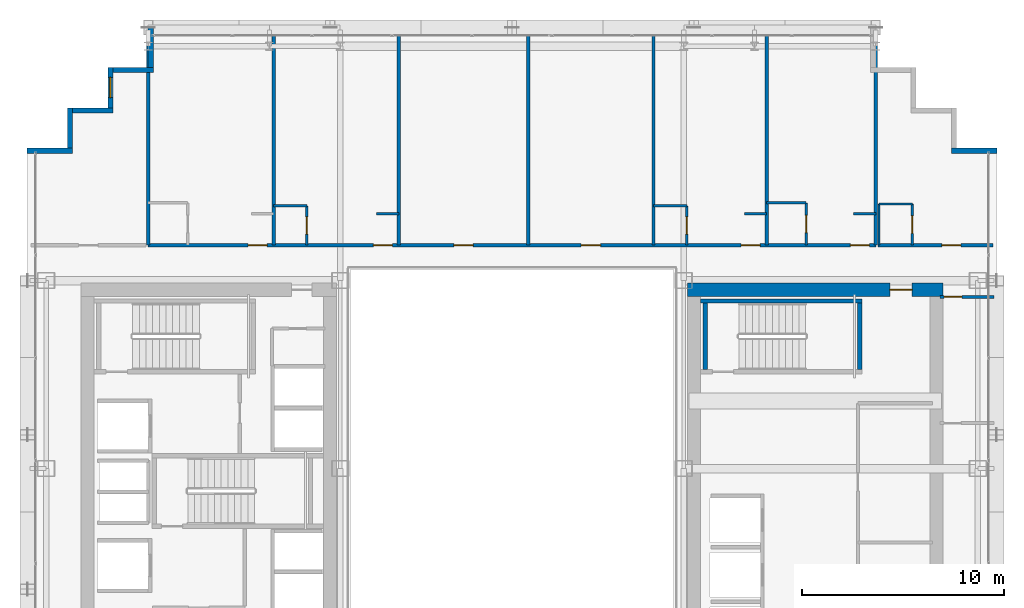
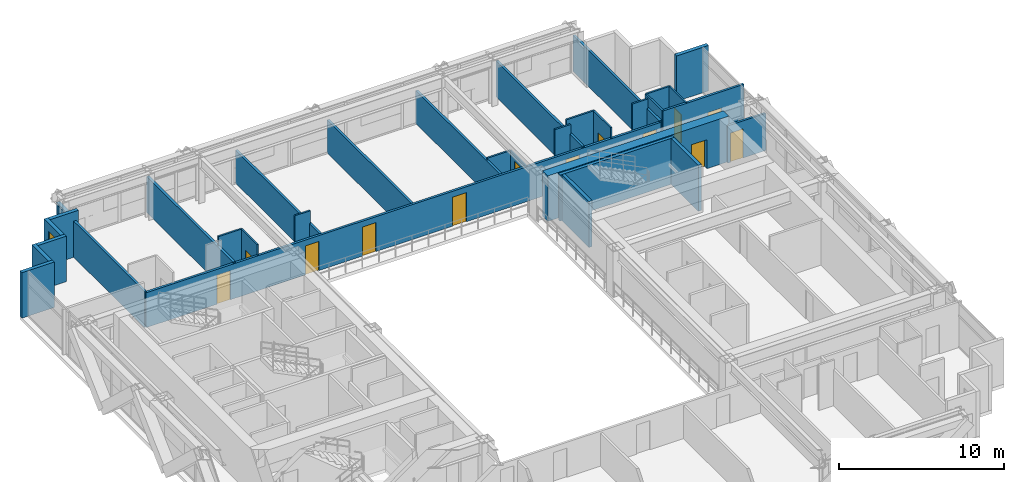
# One storey, part 30 of 35: 33 walls, 13 doors, 1 window, 14 openings.
"""IFC4 building model written with IfcOpenShell, lengths in metres."""

from ifc_helpers import new_model, si_unit, direction, frame, frame_2d, origin, place, context, subcontext, project, spatial, rectangle, extrude, source, transform, mapped, material, layer, layer_set, type_object, element, fill, save


model = new_model("IFC4")

# Units and contexts
model_context = context("Model", 3, precision=1e-05, world=origin(), true_north=direction((0.0, 1.0)))
body_context = subcontext(model_context, "Body", "Model", "MODEL_VIEW")
ifc_project = project(units=[si_unit("LENGTHUNIT", "METRE"), si_unit("AREAUNIT", "SQUARE_METRE"), si_unit("VOLUMEUNIT", "CUBIC_METRE"), si_unit("PLANEANGLEUNIT", "RADIAN"), si_unit("MASSUNIT", "GRAM", prefix="KILO")], contexts=[model_context])

# Site, building, storey
site_placement = place(None, origin())
site = spatial("IfcSite", under=ifc_project, at=site_placement, CompositionType="ELEMENT")
building_placement = place(site_placement, origin())
building = spatial("IfcBuilding", under=site, at=building_placement, Name="Ocotamira Hotel", CompositionType="ELEMENT")
storey_placement = place(building_placement, frame((0.0, 0.0, 122.39990234375)))
storey = spatial("IfcBuildingStorey", under=building, at=storey_placement, Name="L30", CompositionType="ELEMENT", Elevation=122.39990234375)

# Wall, opening, door
ifc_material_1 = material(Name="Concrete C60/75", Category="concrete")
ifc_layer_1 = layer(ifc_material_1, 0.64990234375)
ifc_layer_set_1 = layer_set([ifc_layer_1], Name="Concrete C60/75")
wall_type_1 = type_object("IfcWallType", Name="WL-CORE-650", PredefinedType="SHEAR", material=ifc_layer_set_1)
wall_1_placement = place(storey_placement, frame((40.675048828125, 37.0, 0.0), z_axis=(0.0, 0.0, 1.0), x_axis=(1.0, 0.0, 0.0)))
wall_1 = element("IfcWall", 1, at=wall_1_placement, inside=storey, type_object=wall_type_1, Name="L30 Shear Core Wall ECORE-N", PredefinedType="SHEAR", context=body_context, shape_type="SweptSolid", body=[
    extrude(rectangle(XDim=12.64990234375, YDim=0.64990234375, at=frame_2d((6.324951171875, 0.0))), origin(), (0.0, 0.0, 1.0), 3.360107421875),
])
opening_1_placement = place(wall_1_placement, frame((10.02490234375, 0.0, 0.0)))
opening_1 = element("IfcOpeningElement", 2, at=opening_1_placement, cuts=wall_1, Name="Opening D-FR1", PredefinedType="OPENING", context=body_context, shape_type="SweptSolid", body=[
    extrude(rectangle(XDim=1.10009765625, YDim=2.14990234375, at=frame_2d((0.550048828125, 1.074951171875))), frame((0.0, 0.3349609375, 0.0), z_axis=(0.0, -1.0, 0.0), x_axis=(1.0, 0.0, 0.0)), (0.0, 0.0, 1.0), 0.669921875),
])
ifc_material_2 = material(Name="Fire-rated acoustic timber-veneer door", Category="wood")
door_type_1 = type_object("IfcDoorType", Name="DR-FIRE-1100", OperationType="NOTDEFINED", PredefinedType="DOOR", material=ifc_material_2)
shared_shape_1 = source(origin(), body_context, "Body", "SweptSolid", [
    extrude(rectangle(XDim=1.10009765625, YDim=2.14990234375, at=frame_2d((0.550048828125, 1.074951171875))), frame((0.0, 0.02490234375, 0.0), z_axis=(0.0, -1.0, 0.0), x_axis=(1.0, 0.0, 0.0)), (0.0, 0.0, 1.0), 0.050048828125),
])
door_1_placement = place(opening_1_placement, origin())
door_1 = element("IfcDoor", 3, at=door_1_placement, inside=storey, type_object=door_type_1, Name="L30 Door ID-L30-ELOB-N-D [ID-L30-ELOB-N-D]", OperationType="SINGLE_SWING_LEFT", OverallHeight=2.14990234375, OverallWidth=1.10009765625, PredefinedType="DOOR", context=body_context, shape_type="MappedRepresentation", body=[
    mapped(shared_shape_1, transform((0.0, 0.0, 0.0), scale=1.0)),
])
fill(opening_1, door_1)

# Walls
ifc_material_3 = material(Name="Precast concrete C45/55", Category="concrete")
ifc_layer_2 = layer(ifc_material_3, 0.25)
ifc_layer_set_2 = layer_set([ifc_layer_2], Name="Precast concrete C45/55")
wall_type_2 = type_object("IfcWallType", Name="WL-EXT-SER-250", PredefinedType="SOLIDWALL", material=ifc_layer_set_2)
wall_2_placement = place(storey_placement, frame((56.0, 43.875, 0.0), z_axis=(0.0, 0.0, 1.0), x_axis=(-1.0, 0.0, 0.0)))
element("IfcWall", 4, at=wall_2_placement, inside=storey, type_object=wall_type_2, Name="L30 Serrated Corner Wall 07", PredefinedType="SOLIDWALL", context=body_context, shape_type="SweptSolid", body=[
    extrude(rectangle(XDim=2.25, YDim=0.25, at=frame_2d((1.125, 0.0))), origin(), (0.0, 0.0, 1.0), 3.360107421875),
])
wall_3_placement = place(storey_placement, frame((14.125, 50.0, 0.0), z_axis=(0.0, 0.0, 1.0), x_axis=(0.0, -1.0, 0.0)))
element("IfcWall", 5, at=wall_3_placement, inside=storey, type_object=wall_type_2, Name="L30 Serrated Corner Wall 13", PredefinedType="SOLIDWALL", context=body_context, shape_type="SweptSolid", body=[
    extrude(rectangle(XDim=2.0, YDim=0.25, at=frame_2d((1.0, 0.0))), origin(), (0.0, 0.0, 1.0), 2.6669921875),
])
wall_4_placement = place(storey_placement, frame((14.25, 47.875, 0.0), z_axis=(0.0, 0.0, 1.0), x_axis=(-1.0, 0.0, 0.0)))
element("IfcWall", 6, at=wall_4_placement, inside=storey, type_object=wall_type_2, Name="L30 Serrated Corner Wall 14", PredefinedType="SOLIDWALL", context=body_context, shape_type="SweptSolid", body=[
    extrude(rectangle(XDim=2.0, YDim=0.25, at=frame_2d((1.0, 0.0))), origin(), (0.0, 0.0, 1.0), 3.360107421875),
])

# Wall, opening, window
wall_5_placement = place(storey_placement, frame((12.125, 48.0, 0.0), z_axis=(0.0, 0.0, 1.0), x_axis=(0.0, -1.0, 0.0)))
wall_5 = element("IfcWall", 7, at=wall_5_placement, inside=storey, type_object=wall_type_2, Name="L30 Serrated Corner Wall 15", PredefinedType="SOLIDWALL", context=body_context, shape_type="SweptSolid", body=[
    extrude(rectangle(XDim=2.0, YDim=0.25, at=frame_2d((1.0, 0.0))), origin(), (0.0, 0.0, 1.0), 3.360107421875),
])
opening_2_placement = place(wall_5_placement, frame((0.5, 0.0, 0.85009765625)))
opening_2 = element("IfcOpeningElement", 8, at=opening_2_placement, cuts=wall_5, Name="Opening WN-2", PredefinedType="OPENING", context=body_context, shape_type="SweptSolid", body=[
    extrude(rectangle(XDim=1.0, YDim=1.89990234375, at=frame_2d((0.5, 0.949951171875))), frame((0.0, 0.135009765625, 0.0), z_axis=(0.0, -1.0, 0.0), x_axis=(1.0, 0.0, 0.0)), (0.0, 0.0, 1.0), 0.27001953125),
])
ifc_material_4 = material(Name="Double-silver low-E solar glass", Category="glass")
window_type = type_object("IfcWindowType", Name="WIN-SER-1100", PartitioningType="SINGLE_PANEL", PredefinedType="WINDOW", material=ifc_material_4)
shared_shape_2 = source(origin(), body_context, "Body", "SweptSolid", [
    extrude(rectangle(XDim=1.0, YDim=1.89990234375, at=frame_2d((0.5, 0.949951171875))), frame((0.0, 0.030029296875, 0.0), z_axis=(0.0, -1.0, 0.0), x_axis=(1.0, 0.0, 0.0)), (0.0, 0.0, 1.0), 0.06005859375),
])
window_placement = place(opening_2_placement, origin())
window = element("IfcWindow", 9, at=window_placement, inside=storey, type_object=window_type, Name="L30 Serrated Corner Window 15", OverallHeight=1.89990234375, OverallWidth=1.0, PartitioningType="SINGLE_PANEL", PredefinedType="WINDOW", context=body_context, shape_type="MappedRepresentation", body=[
    mapped(shared_shape_2, transform((0.0, 0.0, 0.0), scale=1.0)),
])
fill(opening_2, window)

# Walls
for number, where, z_axis, x_axis, name in (
    (10, (12.25, 45.875, 0.0), (0.0, 0.0, 1.0), (-1.0, 0.0, 0.0), "L30 Serrated Corner Wall 16"),
    (11, (10.125, 46.0, 0.0), (0.0, 0.0, 1.0), (0.0, -1.0, 0.0), "L30 Serrated Corner Wall 17"),
):
    element("IfcWall", number, at=place(storey_placement, frame(where, z_axis=z_axis, x_axis=x_axis)), inside=storey, type_object=wall_type_2, Name=name, PredefinedType="SOLIDWALL", context=body_context, shape_type="SweptSolid", body=[
        extrude(rectangle(XDim=2.0, YDim=0.25, at=frame_2d((1.0, 0.0))), origin(), (0.0, 0.0, 1.0), 3.360107421875),
    ])
wall_6_placement = place(storey_placement, frame((10.25, 43.875, 0.0), z_axis=(0.0, 0.0, 1.0), x_axis=(-1.0, 0.0, 0.0)))
element("IfcWall", 12, at=wall_6_placement, inside=storey, type_object=wall_type_2, Name="L30 Serrated Corner Wall 18", PredefinedType="SOLIDWALL", context=body_context, shape_type="SweptSolid", body=[
    extrude(rectangle(XDim=2.25, YDim=0.25, at=frame_2d((1.125, 0.0))), origin(), (0.0, 0.0, 1.0), 3.360107421875),
])

# Wall, opening, door
ifc_material_5 = material(Name="Acoustic double-layer fire gypsum board partition", Category="gypsum")
ifc_layer_3 = layer(ifc_material_5, 0.159912109375)
ifc_layer_set_3 = layer_set([ifc_layer_3], Name="Acoustic double-layer fire gypsum board partition")
wall_type_3 = type_object("IfcWallType", Name="WL-FIRE-160", PredefinedType="PARTITIONING", material=ifc_layer_set_3)
wall_7_placement = place(storey_placement, frame((50.1201171875, 39.199951171875, 0.0), z_axis=(0.0, 0.0, 1.0), x_axis=(1.0, 0.0, 0.0)))
wall_7 = element("IfcWall", 13, at=wall_7_placement, inside=storey, type_object=wall_type_3, Name="L30 Interior Wall PW-L30-Z2C-CNE-CW", PredefinedType="PARTITIONING", context=body_context, shape_type="SweptSolid", body=[
    extrude(rectangle(XDim=5.679931640625, YDim=0.159912109375, at=frame_2d((2.83984375, 0.0))), origin(), (0.0, 0.0, 1.0), 3.360107421875),
])
opening_3_placement = place(wall_7_placement, frame((3.14990234375, 0.0, 0.0)))
opening_3 = element("IfcOpeningElement", 14, at=opening_3_placement, cuts=wall_7, Name="Opening D-GR1", PredefinedType="OPENING", context=body_context, shape_type="SweptSolid", body=[
    extrude(rectangle(XDim=0.93994140625, YDim=2.14990234375, at=frame_2d((0.469970703125, 1.074951171875))), frame((0.0, 0.08984375, 0.0), z_axis=(0.0, -1.0, 0.0), x_axis=(1.0, 0.0, 0.0)), (0.0, 0.0, 1.0), 0.179931640625),
])
ifc_material_6 = material(Name="Solid-core walnut suite entrance fire door", Category="wood")
door_type_2 = type_object("IfcDoorType", Name="DR-GUEST-940", OperationType="NOTDEFINED", PredefinedType="DOOR", material=ifc_material_6)
shared_shape_3 = source(origin(), body_context, "Body", "SweptSolid", [
    extrude(rectangle(XDim=0.93994140625, YDim=2.14990234375, at=frame_2d((0.469970703125, 1.074951171875))), frame((0.0, 0.02490234375, 0.0), z_axis=(0.0, -1.0, 0.0), x_axis=(1.0, 0.0, 0.0)), (0.0, 0.0, 1.0), 0.050048828125),
])
door_2_placement = place(opening_3_placement, origin())
door_2 = element("IfcDoor", 15, at=door_2_placement, inside=storey, type_object=door_type_2, Name="L30 Door ID-L30-Z2C-CNE-CD [ID-L30-Z2C-CNE-CD]", OperationType="SINGLE_SWING_RIGHT", OverallHeight=2.14990234375, OverallWidth=0.93994140625, PredefinedType="DOOR", context=body_context, shape_type="MappedRepresentation", body=[
    mapped(shared_shape_3, transform((0.0, 0.0, 0.0), scale=1.0)),
])
fill(opening_3, door_2)

# Wall, openings, doors
wall_8_placement = place(storey_placement, frame((14.0, 39.199951171875, 0.0), z_axis=(0.0, 0.0, 1.0), x_axis=(1.0, 0.0, 0.0)))
wall_8 = element("IfcWall", 16, at=wall_8_placement, inside=storey, type_object=wall_type_3, Name="L30 Interior Wall PW-L30-Z2CN-CORRW", PredefinedType="PARTITIONING", context=body_context, shape_type="SweptSolid", body=[
    extrude(rectangle(XDim=36.0, YDim=0.159912109375, at=frame_2d((18.0, 0.0))), origin(), (0.0, 0.0, 1.0), 2.5810546875),
])
opening_4_placement = place(wall_8_placement, frame((4.93994140625, 0.0, 0.0)))
opening_4 = element("IfcOpeningElement", 17, at=opening_4_placement, cuts=wall_8, Name="Opening D-GR1", PredefinedType="OPENING", context=body_context, shape_type="SweptSolid", body=[
    extrude(rectangle(XDim=0.93994140625, YDim=2.14990234375, at=frame_2d((0.469970703125, 1.074951171875))), frame((0.0, 0.08984375, 0.0), z_axis=(0.0, -1.0, 0.0), x_axis=(1.0, 0.0, 0.0)), (0.0, 0.0, 1.0), 0.179931640625),
])
opening_5_placement = place(wall_8_placement, frame((11.139892578125, 0.0, 0.0)))
opening_5 = element("IfcOpeningElement", 18, at=opening_5_placement, cuts=wall_8, Name="Opening D-GR1", PredefinedType="OPENING", context=body_context, shape_type="SweptSolid", body=[
    extrude(rectangle(XDim=0.93994140625, YDim=2.14990234375, at=frame_2d((0.469970703125, 1.074951171875))), frame((0.0, 0.08984375, 0.0), z_axis=(0.0, -1.0, 0.0), x_axis=(1.0, 0.0, 0.0)), (0.0, 0.0, 1.0), 0.179931640625),
])
opening_6_placement = place(wall_8_placement, frame((15.1201171875, 0.0, 0.0)))
opening_6 = element("IfcOpeningElement", 19, at=opening_6_placement, cuts=wall_8, Name="Opening D-SV4", PredefinedType="OPENING", context=body_context, shape_type="SweptSolid", body=[
    extrude(rectangle(XDim=0.9599609375, YDim=2.14990234375, at=frame_2d((0.47998046875, 1.074951171875))), frame((0.0, 0.08984375, 0.0), z_axis=(0.0, -1.0, 0.0), x_axis=(1.0, 0.0, 0.0)), (0.0, 0.0, 1.0), 0.179931640625),
])
opening_7_placement = place(wall_8_placement, frame((21.419921875, 0.0, 0.0)))
opening_7 = element("IfcOpeningElement", 20, at=opening_7_placement, cuts=wall_8, Name="Opening D-SV4", PredefinedType="OPENING", context=body_context, shape_type="SweptSolid", body=[
    extrude(rectangle(XDim=0.9599609375, YDim=2.14990234375, at=frame_2d((0.47998046875, 1.074951171875))), frame((0.0, 0.08984375, 0.0), z_axis=(0.0, -1.0, 0.0), x_axis=(1.0, 0.0, 0.0)), (0.0, 0.0, 1.0), 0.179931640625),
])
opening_8_placement = place(wall_8_placement, frame((29.340087890625, 0.0, 0.0)))
opening_8 = element("IfcOpeningElement", 21, at=opening_8_placement, cuts=wall_8, Name="Opening D-GR1", PredefinedType="OPENING", context=body_context, shape_type="SweptSolid", body=[
    extrude(rectangle(XDim=0.93994140625, YDim=2.14990234375, at=frame_2d((0.469970703125, 1.074951171875))), frame((0.0, 0.08984375, 0.0), z_axis=(0.0, -1.0, 0.0), x_axis=(1.0, 0.0, 0.0)), (0.0, 0.0, 1.0), 0.179931640625),
])
opening_9_placement = place(wall_8_placement, frame((34.739990234375, 0.0, 0.0)))
opening_9 = element("IfcOpeningElement", 22, at=opening_9_placement, cuts=wall_8, Name="Opening D-GR1", PredefinedType="OPENING", context=body_context, shape_type="SweptSolid", body=[
    extrude(rectangle(XDim=0.93994140625, YDim=2.14990234375, at=frame_2d((0.469970703125, 1.074951171875))), frame((0.0, 0.08984375, 0.0), z_axis=(0.0, -1.0, 0.0), x_axis=(1.0, 0.0, 0.0)), (0.0, 0.0, 1.0), 0.179931640625),
])
ifc_material_7 = material(Name="Fire-rated accessible walnut salon door", Category="wood")
door_type_3 = type_object("IfcDoorType", Name="DR-SERV-960", OperationType="NOTDEFINED", PredefinedType="DOOR", material=ifc_material_7)
shared_shape_4 = source(origin(), body_context, "Body", "SweptSolid", [
    extrude(rectangle(XDim=0.9599609375, YDim=2.14990234375, at=frame_2d((0.47998046875, 1.074951171875))), frame((0.0, 0.02490234375, 0.0), z_axis=(0.0, -1.0, 0.0), x_axis=(1.0, 0.0, 0.0)), (0.0, 0.0, 1.0), 0.050048828125),
])
door_3_placement = place(opening_6_placement, origin())
door_3 = element("IfcDoor", 23, at=door_3_placement, inside=storey, type_object=door_type_3, Name="L30 Door ID-L30-Z2CN-AMD3 [ID-L30-Z2CN-AMD3]", OperationType="SINGLE_SWING_LEFT", OverallHeight=2.14990234375, OverallWidth=0.9599609375, PredefinedType="DOOR", context=body_context, shape_type="MappedRepresentation", body=[
    mapped(shared_shape_4, transform((0.0, 0.0, 0.0), scale=1.0)),
])
fill(opening_6, door_3)
door_4_placement = place(opening_7_placement, origin())
door_4 = element("IfcDoor", 24, at=door_4_placement, inside=storey, type_object=door_type_3, Name="L30 Door ID-L30-Z2CN-AMD4 [ID-L30-Z2CN-AMD4]", OperationType="SINGLE_SWING_RIGHT", OverallHeight=2.14990234375, OverallWidth=0.9599609375, PredefinedType="DOOR", context=body_context, shape_type="MappedRepresentation", body=[
    mapped(shared_shape_4, transform((0.0, 0.0, 0.0), scale=1.0)),
])
fill(opening_7, door_4)
door_5_placement = place(opening_4_placement, origin())
door_5 = element("IfcDoor", 25, at=door_5_placement, inside=storey, type_object=door_type_2, Name="L30 Door ID-L30-Z2CN-RMD1 [ID-L30-Z2CN-RMD1]", OperationType="SINGLE_SWING_LEFT", OverallHeight=2.14990234375, OverallWidth=0.93994140625, PredefinedType="DOOR", context=body_context, shape_type="MappedRepresentation", body=[
    mapped(shared_shape_3, transform((0.0, 0.0, 0.0), scale=1.0)),
])
fill(opening_4, door_5)
door_6_placement = place(opening_5_placement, origin())
door_6 = element("IfcDoor", 26, at=door_6_placement, inside=storey, type_object=door_type_2, Name="L30 Door ID-L30-Z2CN-RMD2 [ID-L30-Z2CN-RMD2]", OperationType="SINGLE_SWING_RIGHT", OverallHeight=2.14990234375, OverallWidth=0.93994140625, PredefinedType="DOOR", context=body_context, shape_type="MappedRepresentation", body=[
    mapped(shared_shape_3, transform((0.0, 0.0, 0.0), scale=1.0)),
])
fill(opening_5, door_6)
door_7_placement = place(opening_8_placement, origin())
door_7 = element("IfcDoor", 27, at=door_7_placement, inside=storey, type_object=door_type_2, Name="L30 Door ID-L30-Z2CN-RMD5 [ID-L30-Z2CN-RMD5]", OperationType="SINGLE_SWING_LEFT", OverallHeight=2.14990234375, OverallWidth=0.93994140625, PredefinedType="DOOR", context=body_context, shape_type="MappedRepresentation", body=[
    mapped(shared_shape_3, transform((0.0, 0.0, 0.0), scale=1.0)),
])
fill(opening_8, door_7)
door_8_placement = place(opening_9_placement, origin())
door_8 = element("IfcDoor", 28, at=door_8_placement, inside=storey, type_object=door_type_2, Name="L30 Door ID-L30-Z2CN-RMD6 [ID-L30-Z2CN-RMD6]", OperationType="SINGLE_SWING_RIGHT", OverallHeight=2.14990234375, OverallWidth=0.93994140625, PredefinedType="DOOR", context=body_context, shape_type="MappedRepresentation", body=[
    mapped(shared_shape_3, transform((0.0, 0.0, 0.0), scale=1.0)),
])
fill(opening_9, door_8)

# Wall, opening, door
ifc_material_8 = material(Name="Moisture-resistant en-suite tile and gypsum partition", Category="gypsum")
ifc_layer_4 = layer(ifc_material_8, 0.1201171875)
ifc_layer_set_4 = layer_set([ifc_layer_4], Name="Moisture-resistant en-suite tile and gypsum partition")
wall_type_4 = type_object("IfcWallType", Name="WL-PART-120", PredefinedType="PARTITIONING", material=ifc_layer_set_4)
wall_9_placement = place(storey_placement, frame((51.81005859375, 39.199951171875, 0.0), z_axis=(0.0, 0.0, 1.0), x_axis=(0.0, 1.0, 0.0)))
wall_9 = element("IfcWall", 29, at=wall_9_placement, inside=storey, type_object=wall_type_4, Name="L30 Interior Wall PW-L30-Z2C-CNE-BE", PredefinedType="PARTITIONING", context=body_context, shape_type="SweptSolid", body=[
    extrude(rectangle(XDim=2.0400390625, YDim=0.1201171875, at=frame_2d((1.02001953125, 0.0))), origin(), (0.0, 0.0, 1.0), 3.360107421875),
])
opening_10_placement = place(wall_9_placement, frame((0.590087890625, 0.0, 0.0)))
opening_10 = element("IfcOpeningElement", 30, at=opening_10_placement, cuts=wall_9, Name="Opening D-BA1", PredefinedType="OPENING", context=body_context, shape_type="SweptSolid", body=[
    extrude(rectangle(XDim=0.860107421875, YDim=2.10009765625, at=frame_2d((0.43017578125, 1.050048828125))), frame((0.0, 0.070068359375, 0.0), z_axis=(0.0, -1.0, 0.0), x_axis=(1.0, 0.0, 0.0)), (0.0, 0.0, 1.0), 0.14013671875),
])
ifc_material_9 = material(Name="Moisture-sealed en-suite timber door", Category="wood")
door_type_4 = type_object("IfcDoorType", Name="DR-BATH-860", OperationType="NOTDEFINED", PredefinedType="DOOR", material=ifc_material_9)
shared_shape_5 = source(origin(), body_context, "Body", "SweptSolid", [
    extrude(rectangle(XDim=0.860107421875, YDim=2.10009765625, at=frame_2d((0.43017578125, 1.050048828125))), frame((0.0, 0.02490234375, 0.0), z_axis=(0.0, -1.0, 0.0), x_axis=(1.0, 0.0, 0.0)), (0.0, 0.0, 1.0), 0.050048828125),
])
door_9_placement = place(opening_10_placement, origin())
door_9 = element("IfcDoor", 31, at=door_9_placement, inside=storey, type_object=door_type_4, Name="L30 Door ID-L30-Z2C-CNE-BD [ID-L30-Z2C-CNE-BD]", OperationType="SINGLE_SWING_LEFT", OverallHeight=2.10009765625, OverallWidth=0.860107421875, PredefinedType="DOOR", context=body_context, shape_type="MappedRepresentation", body=[
    mapped(shared_shape_5, transform((0.0, 0.0, 0.0), scale=1.0)),
])
fill(opening_10, door_9)

# Walls
wall_10_placement = place(storey_placement, frame((50.159912109375, 39.199951171875, 0.0), z_axis=(0.0, 0.0, 1.0), x_axis=(0.0, 1.0, 0.0)))
element("IfcWall", 32, at=wall_10_placement, inside=storey, type_object=wall_type_4, Name="L30 Interior Wall PW-L30-Z2C-CNE-BW", PredefinedType="PARTITIONING", context=body_context, shape_type="SweptSolid", body=[
    extrude(rectangle(XDim=2.0400390625, YDim=0.1201171875, at=frame_2d((1.02001953125, 0.0))), origin(), (0.0, 0.0, 1.0), 3.360107421875),
])
wall_11_placement = place(storey_placement, frame((50.159912109375, 41.239990234375, 0.0), z_axis=(0.0, 0.0, 1.0), x_axis=(1.0, 0.0, 0.0)))
element("IfcWall", 33, at=wall_11_placement, inside=storey, type_object=wall_type_4, Name="L30 Interior Wall PW-L30-Z2C-CNE-BH", PredefinedType="PARTITIONING", context=body_context, shape_type="SweptSolid", body=[
    extrude(rectangle(XDim=1.650146484375, YDim=0.1201171875, at=frame_2d((0.8251953125, 0.0))), origin(), (0.0, 0.0, 1.0), 3.360107421875),
])

# Wall, opening, door
wall_12_placement = place(storey_placement, frame((21.85009765625, 39.199951171875, 0.0), z_axis=(0.0, 0.0, 1.0), x_axis=(0.0, 1.0, 0.0)))
wall_12 = element("IfcWall", 34, at=wall_12_placement, inside=storey, type_object=wall_type_4, Name="L30 Interior Wall PW-L30-Z2CN-BAE2", PredefinedType="PARTITIONING", context=body_context, shape_type="SweptSolid", body=[
    extrude(rectangle(XDim=1.949951171875, YDim=0.1201171875, at=frame_2d((0.97509765625, 0.0))), origin(), (0.0, 0.0, 1.0), 3.360107421875),
])
opening_11_placement = place(wall_12_placement, frame((0.544921875, 0.0, 0.0)))
opening_11 = element("IfcOpeningElement", 35, at=opening_11_placement, cuts=wall_12, Name="Opening D-BA1", PredefinedType="OPENING", context=body_context, shape_type="SweptSolid", body=[
    extrude(rectangle(XDim=0.860107421875, YDim=2.10009765625, at=frame_2d((0.43017578125, 1.050048828125))), frame((0.0, 0.070068359375, 0.0), z_axis=(0.0, -1.0, 0.0), x_axis=(1.0, 0.0, 0.0)), (0.0, 0.0, 1.0), 0.14013671875),
])
door_10_placement = place(opening_11_placement, origin())
door_10 = element("IfcDoor", 36, at=door_10_placement, inside=storey, type_object=door_type_4, Name="L30 Door ID-L30-Z2CN-BAD2 [ID-L30-Z2CN-BAD2]", OperationType="SINGLE_SWING_LEFT", OverallHeight=2.10009765625, OverallWidth=0.860107421875, PredefinedType="DOOR", context=body_context, shape_type="MappedRepresentation", body=[
    mapped(shared_shape_5, transform((0.0, 0.0, 0.0), scale=1.0)),
])
fill(opening_11, door_10)

# Walls
wall_13_placement = place(storey_placement, frame((20.199951171875, 41.14990234375, 0.0), z_axis=(0.0, 0.0, 1.0), x_axis=(1.0, 0.0, 0.0)))
element("IfcWall", 37, at=wall_13_placement, inside=storey, type_object=wall_type_4, Name="L30 Interior Wall PW-L30-Z2CN-BAN2", PredefinedType="PARTITIONING", context=body_context, shape_type="SweptSolid", body=[
    extrude(rectangle(XDim=1.650146484375, YDim=0.1201171875, at=frame_2d((0.8251953125, 0.0))), origin(), (0.0, 0.0, 1.0), 3.360107421875),
])
wall_14_placement = place(storey_placement, frame((25.300048828125, 40.75, 0.0), z_axis=(0.0, 0.0, 1.0), x_axis=(1.0, 0.0, 0.0)))
element("IfcWall", 38, at=wall_14_placement, inside=storey, type_object=wall_type_4, Name="L30 Interior Wall PW-L30-Z2CN-DRN2", PredefinedType="PARTITIONING", context=body_context, shape_type="SweptSolid", body=[
    extrude(rectangle(XDim=1.099853515625, YDim=0.1201171875, at=frame_2d((0.5498046875, 0.0))), origin(), (0.0, 0.0, 1.0), 3.360107421875),
])

# Wall, opening, door
wall_15_placement = place(storey_placement, frame((40.64990234375, 39.199951171875, 0.0), z_axis=(0.0, 0.0, 1.0), x_axis=(0.0, 1.0, 0.0)))
wall_15 = element("IfcWall", 39, at=wall_15_placement, inside=storey, type_object=wall_type_4, Name="L30 Interior Wall PW-L30-Z2CN-BAE5", PredefinedType="PARTITIONING", context=body_context, shape_type="SweptSolid", body=[
    extrude(rectangle(XDim=1.949951171875, YDim=0.1201171875, at=frame_2d((0.97509765625, 0.0))), origin(), (0.0, 0.0, 1.0), 2.5810546875),
])
opening_12_placement = place(wall_15_placement, frame((0.544921875, 0.0, 0.0)))
opening_12 = element("IfcOpeningElement", 40, at=opening_12_placement, cuts=wall_15, Name="Opening D-BA1", PredefinedType="OPENING", context=body_context, shape_type="SweptSolid", body=[
    extrude(rectangle(XDim=0.860107421875, YDim=2.10009765625, at=frame_2d((0.43017578125, 1.050048828125))), frame((0.0, 0.070068359375, 0.0), z_axis=(0.0, -1.0, 0.0), x_axis=(1.0, 0.0, 0.0)), (0.0, 0.0, 1.0), 0.14013671875),
])
door_11_placement = place(opening_12_placement, origin())
door_11 = element("IfcDoor", 41, at=door_11_placement, inside=storey, type_object=door_type_4, Name="L30 Door ID-L30-Z2CN-BAD5 [ID-L30-Z2CN-BAD5]", OperationType="SINGLE_SWING_RIGHT", OverallHeight=2.10009765625, OverallWidth=0.860107421875, PredefinedType="DOOR", context=body_context, shape_type="MappedRepresentation", body=[
    mapped(shared_shape_5, transform((0.0, 0.0, 0.0), scale=1.0)),
])
fill(opening_12, door_11)

# Walls
wall_16_placement = place(storey_placement, frame((39.0, 41.14990234375, 0.0), z_axis=(0.0, 0.0, 1.0), x_axis=(1.0, 0.0, 0.0)))
element("IfcWall", 42, at=wall_16_placement, inside=storey, type_object=wall_type_4, Name="L30 Interior Wall PW-L30-Z2CN-BAN5", PredefinedType="PARTITIONING", context=body_context, shape_type="SweptSolid", body=[
    extrude(rectangle(XDim=1.64990234375, YDim=0.1201171875, at=frame_2d((0.824951171875, 0.0))), origin(), (0.0, 0.0, 1.0), 2.5810546875),
])
wall_17_placement = place(storey_placement, frame((43.5, 40.75, 0.0), z_axis=(0.0, 0.0, 1.0), x_axis=(1.0, 0.0, 0.0)))
element("IfcWall", 43, at=wall_17_placement, inside=storey, type_object=wall_type_4, Name="L30 Interior Wall PW-L30-Z2CN-DRN5", PredefinedType="PARTITIONING", context=body_context, shape_type="SweptSolid", body=[
    extrude(rectangle(XDim=1.10009765625, YDim=0.1201171875, at=frame_2d((0.550048828125, 0.0))), origin(), (0.0, 0.0, 1.0), 3.360107421875),
])

# Wall, opening, door
wall_18_placement = place(storey_placement, frame((46.550048828125, 39.199951171875, 0.0), z_axis=(0.0, 0.0, 1.0), x_axis=(0.0, 1.0, 0.0)))
wall_18 = element("IfcWall", 44, at=wall_18_placement, inside=storey, type_object=wall_type_4, Name="L30 Interior Wall PW-L30-Z2CN-BAE6", PredefinedType="PARTITIONING", context=body_context, shape_type="SweptSolid", body=[
    extrude(rectangle(XDim=2.10009765625, YDim=0.1201171875, at=frame_2d((1.050048828125, 0.0))), origin(), (0.0, 0.0, 1.0), 3.360107421875),
])
opening_13_placement = place(wall_18_placement, frame((0.6201171875, 0.0, 0.0)))
opening_13 = element("IfcOpeningElement", 45, at=opening_13_placement, cuts=wall_18, Name="Opening D-BA1", PredefinedType="OPENING", context=body_context, shape_type="SweptSolid", body=[
    extrude(rectangle(XDim=0.860107421875, YDim=2.10009765625, at=frame_2d((0.43017578125, 1.050048828125))), frame((0.0, 0.070068359375, 0.0), z_axis=(0.0, -1.0, 0.0), x_axis=(1.0, 0.0, 0.0)), (0.0, 0.0, 1.0), 0.14013671875),
])
door_12_placement = place(opening_13_placement, origin())
door_12 = element("IfcDoor", 46, at=door_12_placement, inside=storey, type_object=door_type_4, Name="L30 Door ID-L30-Z2CN-BAD6 [ID-L30-Z2CN-BAD6]", OperationType="SINGLE_SWING_LEFT", OverallHeight=2.10009765625, OverallWidth=0.860107421875, PredefinedType="DOOR", context=body_context, shape_type="MappedRepresentation", body=[
    mapped(shared_shape_5, transform((0.0, 0.0, 0.0), scale=1.0)),
])
fill(opening_13, door_12)

# Walls
wall_19_placement = place(storey_placement, frame((44.60009765625, 41.300048828125, 0.0), z_axis=(0.0, 0.0, 1.0), x_axis=(1.0, 0.0, 0.0)))
element("IfcWall", 47, at=wall_19_placement, inside=storey, type_object=wall_type_4, Name="L30 Interior Wall PW-L30-Z2CN-BAN6", PredefinedType="PARTITIONING", context=body_context, shape_type="SweptSolid", body=[
    extrude(rectangle(XDim=1.949951171875, YDim=0.1201171875, at=frame_2d((0.97509765625, 0.0))), origin(), (0.0, 0.0, 1.0), 3.360107421875),
])
wall_20_placement = place(storey_placement, frame((48.89990234375, 40.75, 0.0), z_axis=(0.0, 0.0, 1.0), x_axis=(1.0, 0.0, 0.0)))
element("IfcWall", 48, at=wall_20_placement, inside=storey, type_object=wall_type_4, Name="L30 Interior Wall PW-L30-Z2CN-DRN6", PredefinedType="PARTITIONING", context=body_context, shape_type="SweptSolid", body=[
    extrude(rectangle(XDim=1.10009765625, YDim=0.1201171875, at=frame_2d((0.550048828125, 0.0))), origin(), (0.0, 0.0, 1.0), 3.360107421875),
])

# Wall, opening, door
ifc_material_10 = material(Name="Acoustic hospitality gypsum board partition", Category="gypsum")
ifc_layer_5 = layer(ifc_material_10, 0.14990234375)
ifc_layer_set_5 = layer_set([ifc_layer_5], Name="Acoustic hospitality gypsum board partition")
wall_type_5 = type_object("IfcWallType", Name="WL-PART-150", PredefinedType="PARTITIONING", material=ifc_layer_set_5)
wall_21_placement = place(storey_placement, frame((53.179931640625, 36.639892578125, 0.0), z_axis=(0.0, 0.0, 1.0), x_axis=(1.0, 0.0, 0.0)))
wall_21 = element("IfcWall", 49, at=wall_21_placement, inside=storey, type_object=wall_type_5, Name="L30 Interior Wall PW-L30-Z2C-EF-WN", PredefinedType="PARTITIONING", context=body_context, shape_type="SweptSolid", body=[
    extrude(rectangle(XDim=2.66015625, YDim=0.14990234375, at=frame_2d((1.330078125, 0.0))), origin(), (0.0, 0.0, 1.0), 2.7431640625),
])
opening_14_placement = place(wall_21_placement, frame((0.199951171875, 0.0, 0.0)))
opening_14 = element("IfcOpeningElement", 50, at=opening_14_placement, cuts=wall_21, Name="Opening D-SV2", PredefinedType="OPENING", context=body_context, shape_type="SweptSolid", body=[
    extrude(rectangle(XDim=0.8798828125, YDim=2.14990234375, at=frame_2d((0.43994140625, 1.074951171875))), frame((0.0, 0.0849609375, 0.0), z_axis=(0.0, -1.0, 0.0), x_axis=(1.0, 0.0, 0.0)), (0.0, 0.0, 1.0), 0.169921875),
])
ifc_material_11 = material(Name="Fire-rated painted steel service door", Category="steel")
door_type_5 = type_object("IfcDoorType", Name="DR-SERV-880", OperationType="NOTDEFINED", PredefinedType="DOOR", material=ifc_material_11)
shared_shape_6 = source(origin(), body_context, "Body", "SweptSolid", [
    extrude(rectangle(XDim=0.8798828125, YDim=2.14990234375, at=frame_2d((0.43994140625, 1.074951171875))), frame((0.0, 0.02490234375, 0.0), z_axis=(0.0, -1.0, 0.0), x_axis=(1.0, 0.0, 0.0)), (0.0, 0.0, 1.0), 0.050048828125),
])
door_13_placement = place(opening_14_placement, origin())
door_13 = element("IfcDoor", 51, at=door_13_placement, inside=storey, type_object=door_type_5, Name="L30 Door ID-L30-Z2C-EF-DN [ID-L30-Z2C-EF-DN]", OperationType="SINGLE_SWING_LEFT", OverallHeight=2.14990234375, OverallWidth=0.8798828125, PredefinedType="DOOR", context=body_context, shape_type="MappedRepresentation", body=[
    mapped(shared_shape_6, transform((0.0, 0.0, 0.0), scale=1.0)),
])
fill(opening_14, door_13)

# Walls
ifc_material_12 = material(Name="Acoustic double-stud hospitality gypsum partition", Category="gypsum")
ifc_layer_6 = layer(ifc_material_12, 0.159912109375)
ifc_layer_set_6 = layer_set([ifc_layer_6], Name="Acoustic double-stud hospitality gypsum partition")
wall_type_6 = type_object("IfcWallType", Name="WL-PART-160", PredefinedType="PARTITIONING", material=ifc_layer_set_6)
for number, where, z_axis, x_axis, name in (
    (52, (14.0, 39.199951171875, 0.0), (0.0, 0.0, 1.0), (0.0, 1.0, 0.0), "L30 Interior Wall PW-L30-Z2CN-PW0"),
    (53, (50.0, 39.199951171875, 0.0), (0.0, 0.0, 1.0), (0.0, 1.0, 0.0), "L30 Interior Wall PW-L30-Z2CN-PWEND"),
):
    element("IfcWall", number, at=place(storey_placement, frame(where, z_axis=z_axis, x_axis=x_axis)), inside=storey, type_object=wall_type_6, Name=name, PredefinedType="PARTITIONING", context=body_context, shape_type="SweptSolid", body=[
        extrude(rectangle(XDim=10.43994140625, YDim=0.159912109375, at=frame_2d((5.219970703125, 0.0))), origin(), (0.0, 0.0, 1.0), 2.6669921875),
    ])
for number, where, z_axis, x_axis, name in (
    (54, (26.39990234375, 39.199951171875, 0.0), (0.0, 0.0, 1.0), (0.0, 1.0, 0.0), "L30 Interior Wall PW-L30-Z2CN-PW2"),
    (55, (32.800048828125, 39.199951171875, 0.0), (0.0, 0.0, 1.0), (0.0, 1.0, 0.0), "L30 Interior Wall PW-L30-Z2CN-PW3"),
    (56, (39.0, 39.199951171875, 0.0), (0.0, 0.0, 1.0), (0.0, 1.0, 0.0), "L30 Interior Wall PW-L30-Z2CN-PW4"),
):
    element("IfcWall", number, at=place(storey_placement, frame(where, z_axis=z_axis, x_axis=x_axis)), inside=storey, type_object=wall_type_6, Name=name, PredefinedType="PARTITIONING", context=body_context, shape_type="SweptSolid", body=[
        extrude(rectangle(XDim=10.43994140625, YDim=0.159912109375, at=frame_2d((5.219970703125, 0.0))), origin(), (0.0, 0.0, 1.0), 2.43310546875),
    ])
wall_22_placement = place(storey_placement, frame((44.60009765625, 39.199951171875, 0.0), z_axis=(0.0, 0.0, 1.0), x_axis=(0.0, 1.0, 0.0)))
element("IfcWall", 57, at=wall_22_placement, inside=storey, type_object=wall_type_6, Name="L30 Interior Wall PW-L30-Z2CN-PW5", PredefinedType="PARTITIONING", context=body_context, shape_type="SweptSolid", body=[
    extrude(rectangle(XDim=10.43994140625, YDim=0.159912109375, at=frame_2d((5.219970703125, 0.0))), origin(), (0.0, 0.0, 1.0), 2.6669921875),
])
ifc_material_13 = material(Name="Double-stud suite party gypsum partition", Category="gypsum")
ifc_layer_7 = layer(ifc_material_13, 0.175048828125)
ifc_layer_set_7 = layer_set([ifc_layer_7], Name="Double-stud suite party gypsum partition")
wall_type_7 = type_object("IfcWallType", Name="WL-PART-175", PredefinedType="PARTITIONING", material=ifc_layer_set_7)
wall_23_placement = place(storey_placement, frame((20.199951171875, 39.199951171875, 0.0), z_axis=(0.0, 0.0, 1.0), x_axis=(0.0, 1.0, 0.0)))
element("IfcWall", 58, at=wall_23_placement, inside=storey, type_object=wall_type_7, Name="L30 Interior Wall PW-L30-Z2CN-PW1", PredefinedType="PARTITIONING", context=body_context, shape_type="SweptSolid", body=[
    extrude(rectangle(XDim=10.43994140625, YDim=0.175048828125, at=frame_2d((5.219970703125, 0.0))), origin(), (0.0, 0.0, 1.0), 2.6669921875),
])
ifc_material_14 = material(Name="Concrete C50/60", Category="concrete")
ifc_layer_8 = layer(ifc_material_14, 0.219970703125)
ifc_layer_set_8 = layer_set([ifc_layer_8], Name="Concrete C50/60")
wall_type_8 = type_object("IfcWallType", Name="WL-STAIR-220", PredefinedType="SHEAR", material=ifc_layer_set_8)
wall_24_placement = place(storey_placement, frame((41.324951171875, 36.43994140625, 0.0), z_axis=(0.0, 0.0, 1.0), x_axis=(1.0, 0.0, 0.0)))
element("IfcWall", 59, at=wall_24_placement, inside=storey, type_object=wall_type_8, Name="L30 Stair Shaft Structural Wall ST-4-N", PredefinedType="SHEAR", context=body_context, shape_type="SweptSolid", body=[
    extrude(rectangle(XDim=7.985107421875, YDim=0.219970703125, at=frame_2d((3.99267578125, 0.0))), origin(), (0.0, 0.0, 1.0), 3.400146484375),
])
for number, where, z_axis, x_axis, name in (
    (60, (41.56005859375, 33.050048828125, 0.0), (0.0, 0.0, 1.0), (0.0, 1.0, 0.0), "L30 Stair Shaft Structural Wall ST-4-W"),
    (61, (49.199951171875, 33.050048828125, 0.0), (0.0, 0.0, 1.0), (0.0, 1.0, 0.0), "L30 Stair Shaft Structural Wall ST-4-E"),
):
    element("IfcWall", number, at=place(storey_placement, frame(where, z_axis=z_axis, x_axis=x_axis)), inside=storey, type_object=wall_type_8, Name=name, PredefinedType="SHEAR", context=body_context, shape_type="SweptSolid", body=[
        extrude(rectangle(XDim=3.280029296875, YDim=0.219970703125, at=frame_2d((1.64013671875, 0.0))), origin(), (0.0, 0.0, 1.0), 3.400146484375),
    ])

save(model, "model.ifc")
